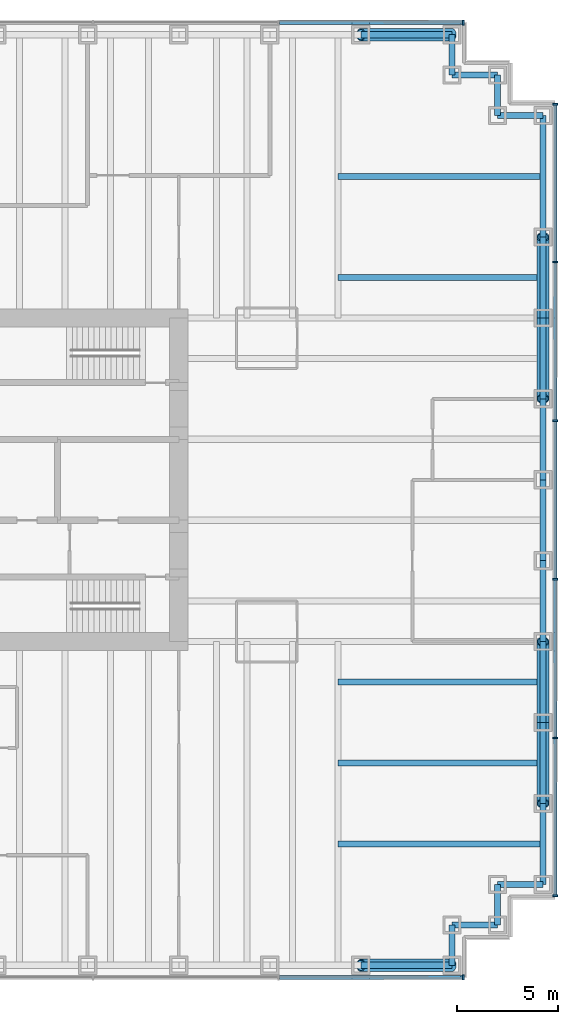
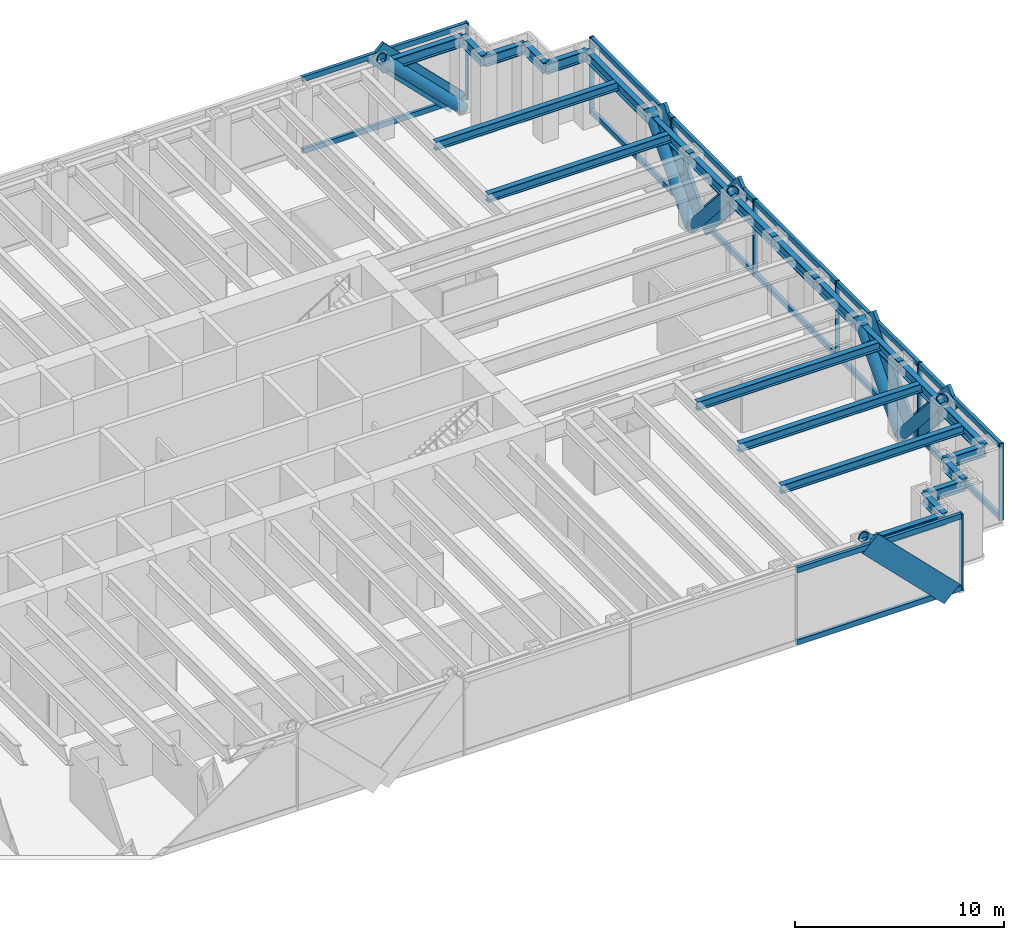
# One storey, part 7 of 13: 34 members, 24 beams, 3 elements without a shape of their own.
"""IFC4 building model written with IfcOpenShell, lengths in metres."""

from ifc_helpers import new_model, si_unit, direction, frame, origin, origin_2d, place, context, subcontext, project, spatial, rectangle, hollow_circle, i_section, extrude, material, material_profile, profile_set, type_object, element, aggregate, save


model = new_model("IFC4")

# Units and contexts
model_context = context("Model", 3, precision=1e-05, world=origin(), true_north=direction((0.0, 1.0)))
body_context = subcontext(model_context, "Body", "Model", "MODEL_VIEW")
ifc_project = project(units=[si_unit("LENGTHUNIT", "METRE"), si_unit("AREAUNIT", "SQUARE_METRE"), si_unit("VOLUMEUNIT", "CUBIC_METRE"), si_unit("PLANEANGLEUNIT", "RADIAN"), si_unit("MASSUNIT", "GRAM", prefix="KILO")], contexts=[model_context])

# Site, building, storey
site_placement = place(None, origin())
site = spatial("IfcSite", under=ifc_project, at=site_placement, CompositionType="ELEMENT")
building_placement = place(site_placement, origin())
building = spatial("IfcBuilding", under=site, at=building_placement, Name="Rheinbord Bourse Tower", CompositionType="ELEMENT")
storey_placement = place(building_placement, frame((0.0, 0.0, 32.0)))
storey = spatial("IfcBuildingStorey", under=building, at=storey_placement, Name="L06", CompositionType="ELEMENT", Elevation=32.0)

# Curtain wall, member
ifc_material_1 = material(Name="Dark glass and black aluminium", Category="aluminium")
curtain_wall_type = type_object("IfcCurtainWallType", Name="CW1 DARK GLASS CURTAIN WALL", PredefinedType="USERDEFINED", material=ifc_material_1)
curtain_wall_1_placement = place(storey_placement, origin())
curtain_wall_1 = element("IfcCurtainWall", 1, at=curtain_wall_1_placement, inside=storey, type_object=curtain_wall_type, Name="Curtain wall CW1 S L06", ObjectType="UNITISED CURTAIN WALL", PredefinedType="USERDEFINED")
ifc_material_2 = material(Name="Black anodised aluminium", Category="aluminium")
ifc_material_profile_1 = material_profile(ifc_material_2, rectangle(XDim=0.179931640625, YDim=1.2099609375, at=origin_2d()), Name="CW1 DIAGONAL MULLION 1210x180")
ifc_profile_set_1 = profile_set([ifc_material_profile_1], Name="Black anodised aluminium")
member_type_1 = type_object("IfcMemberType", Name="CW1 BLACK DIAGONAL MULLION", PredefinedType="USERDEFINED", material=ifc_profile_set_1)
member_1_placement = place(storey_placement, frame((67.5, -0.60009765625, 0.0), z_axis=(-0.707106781187, 0.0, 0.707106781187), x_axis=(0.0, -1.0, 0.0)))
member_1 = element("IfcMember", 2, at=member_1_placement, type_object=member_type_1, Name="CW1 diagonal mullion c", ObjectType="DIAGONAL MULLION", PredefinedType="USERDEFINED", context=body_context, shape_type="SweptSolid", body=[
    extrude(rectangle(XDim=0.179931640625, YDim=1.2099609375, at=origin_2d()), origin(), (0.0, 0.0, 1.0), 6.364013671875),
])

# Curtain wall, members
curtain_wall_2_placement = place(storey_placement, origin())
curtain_wall_2 = element("IfcCurtainWall", 3, at=curtain_wall_2_placement, inside=storey, type_object=curtain_wall_type, Name="Curtain wall CW1 E L06", ObjectType="UNITISED CURTAIN WALL", PredefinedType="USERDEFINED")
member_2_placement = place(storey_placement, frame((72.60009765625, 32.0, 0.0), z_axis=(0.0, 0.66436383883, 0.747409318684), x_axis=(-1.0, 0.0, 0.0)))
member_2 = element("IfcMember", 4, at=member_2_placement, type_object=member_type_1, Name="CW1 diagonal mullion a", ObjectType="DIAGONAL MULLION", PredefinedType="USERDEFINED", context=body_context, shape_type="SweptSolid", body=[
    extrude(rectangle(XDim=0.179931640625, YDim=1.2099609375, at=origin_2d()), origin(), (0.0, 0.0, 1.0), 6.020751953125),
])
member_3_placement = place(storey_placement, frame((72.60009765625, 12.0, 0.0), z_axis=(0.0, -0.66436383883, 0.747409318684), x_axis=(1.0, 0.0, 0.0)))
member_3 = element("IfcMember", 5, at=member_3_placement, type_object=member_type_1, Name="CW1 diagonal mullion b", ObjectType="DIAGONAL MULLION", PredefinedType="USERDEFINED", context=body_context, shape_type="SweptSolid", body=[
    extrude(rectangle(XDim=0.179931640625, YDim=1.2099609375, at=origin_2d()), origin(), (0.0, 0.0, 1.0), 6.020751953125),
])
member_4_placement = place(storey_placement, frame((72.60009765625, 32.0, 0.0), z_axis=(0.0, -0.66436383883, 0.747409318684), x_axis=(1.0, 0.0, 0.0)))
member_4 = element("IfcMember", 6, at=member_4_placement, type_object=member_type_1, Name="CW1 diagonal mullion c", ObjectType="DIAGONAL MULLION", PredefinedType="USERDEFINED", context=body_context, shape_type="SweptSolid", body=[
    extrude(rectangle(XDim=0.179931640625, YDim=1.2099609375, at=origin_2d()), origin(), (0.0, 0.0, 1.0), 6.020751953125),
])
member_5_placement = place(storey_placement, frame((72.60009765625, 12.0, 0.0), z_axis=(0.0, 0.66436383883, 0.747409318684), x_axis=(-1.0, 0.0, 0.0)))
member_5 = element("IfcMember", 7, at=member_5_placement, type_object=member_type_1, Name="CW1 diagonal mullion d", ObjectType="DIAGONAL MULLION", PredefinedType="USERDEFINED", context=body_context, shape_type="SweptSolid", body=[
    extrude(rectangle(XDim=0.179931640625, YDim=1.2099609375, at=origin_2d()), origin(), (0.0, 0.0, 1.0), 6.020751953125),
])

# Curtain wall, member
curtain_wall_3_placement = place(storey_placement, origin())
curtain_wall_3 = element("IfcCurtainWall", 8, at=curtain_wall_3_placement, inside=storey, type_object=curtain_wall_type, Name="Curtain wall CW1 N L06", ObjectType="UNITISED CURTAIN WALL", PredefinedType="USERDEFINED")
member_6_placement = place(storey_placement, frame((67.5, 46.60009765625, 0.0), z_axis=(-0.707106781187, 0.0, 0.707106781187), x_axis=(0.0, -1.0, 0.0)))
member_6 = element("IfcMember", 9, at=member_6_placement, type_object=member_type_1, Name="CW1 diagonal mullion c", ObjectType="DIAGONAL MULLION", PredefinedType="USERDEFINED", context=body_context, shape_type="SweptSolid", body=[
    extrude(rectangle(XDim=0.179931640625, YDim=1.2099609375, at=origin_2d()), origin(), (0.0, 0.0, 1.0), 6.364013671875),
])

# Member
ifc_material_3 = material(Name="Black anodised aluminium", Category="aluminium")
ifc_material_profile_2 = material_profile(ifc_material_3, rectangle(XDim=0.25, YDim=0.080078125, at=origin_2d()), Name="CW1 MULLION 80x250")
ifc_profile_set_2 = profile_set([ifc_material_profile_2], Name="Black anodised aluminium")
member_type_2 = type_object("IfcMemberType", Name="CW1 BLACK MULLION", PredefinedType="MULLION", material=ifc_profile_set_2)
member_7_placement = place(storey_placement, frame((68.06005859375, -0.60009765625, 0.0), z_axis=(0.0, 0.0, 1.0), x_axis=(0.0, 1.0, 0.0)))
member_7 = element("IfcMember", 10, at=member_7_placement, type_object=member_type_2, Name="CW1 mullion 8", PredefinedType="MULLION", context=body_context, shape_type="SweptSolid", body=[
    extrude(rectangle(XDim=0.25, YDim=0.080078125, at=origin_2d()), origin(), (0.0, 0.0, 1.0), 4.5),
])

member_8_placement = place(storey_placement, frame((72.60009765625, 3.43994140625, 0.0), z_axis=(0.0, 0.0, 1.0), x_axis=(-1.0, 0.0, 0.0)))
member_8 = element("IfcMember", 11, at=member_8_placement, type_object=member_type_2, Name="CW1 mullion 1", PredefinedType="MULLION", context=body_context, shape_type="SweptSolid", body=[
    extrude(rectangle(XDim=0.25, YDim=0.080078125, at=origin_2d()), origin(), (0.0, 0.0, 1.0), 4.5),
])

member_9_placement = place(storey_placement, frame((72.60009765625, 11.239990234375, 0.0), z_axis=(0.0, 0.0, 1.0), x_axis=(-1.0, 0.0, 0.0)))
member_9 = element("IfcMember", 12, at=member_9_placement, type_object=member_type_2, Name="CW1 mullion 2", PredefinedType="MULLION", context=body_context, shape_type="SweptSolid", body=[
    extrude(rectangle(XDim=0.25, YDim=0.080078125, at=origin_2d()), origin(), (0.0, 0.0, 1.0), 4.5),
])

member_10_placement = place(storey_placement, frame((72.60009765625, 19.080078125, 0.0), z_axis=(0.0, 0.0, 1.0), x_axis=(-1.0, 0.0, 0.0)))
member_10 = element("IfcMember", 13, at=member_10_placement, type_object=member_type_2, Name="CW1 mullion 3", PredefinedType="MULLION", context=body_context, shape_type="SweptSolid", body=[
    extrude(rectangle(XDim=0.25, YDim=0.080078125, at=origin_2d()), origin(), (0.0, 0.0, 1.0), 4.5),
])

member_11_placement = place(storey_placement, frame((72.60009765625, 26.919921875, 0.0), z_axis=(0.0, 0.0, 1.0), x_axis=(-1.0, 0.0, 0.0)))
member_11 = element("IfcMember", 14, at=member_11_placement, type_object=member_type_2, Name="CW1 mullion 4", PredefinedType="MULLION", context=body_context, shape_type="SweptSolid", body=[
    extrude(rectangle(XDim=0.25, YDim=0.080078125, at=origin_2d()), origin(), (0.0, 0.0, 1.0), 4.5),
])

member_12_placement = place(storey_placement, frame((72.60009765625, 34.760009765625, 0.0), z_axis=(0.0, 0.0, 1.0), x_axis=(-1.0, 0.0, 0.0)))
member_12 = element("IfcMember", 15, at=member_12_placement, type_object=member_type_2, Name="CW1 mullion 5", PredefinedType="MULLION", context=body_context, shape_type="SweptSolid", body=[
    extrude(rectangle(XDim=0.25, YDim=0.080078125, at=origin_2d()), origin(), (0.0, 0.0, 1.0), 4.5),
])

member_13_placement = place(storey_placement, frame((72.60009765625, 42.56005859375, 0.0), z_axis=(0.0, 0.0, 1.0), x_axis=(-1.0, 0.0, 0.0)))
member_13 = element("IfcMember", 16, at=member_13_placement, type_object=member_type_2, Name="CW1 mullion 6", PredefinedType="MULLION", context=body_context, shape_type="SweptSolid", body=[
    extrude(rectangle(XDim=0.25, YDim=0.080078125, at=origin_2d()), origin(), (0.0, 0.0, 1.0), 4.5),
])

member_14_placement = place(storey_placement, frame((68.06005859375, 46.60009765625, 0.0), z_axis=(0.0, 0.0, 1.0), x_axis=(0.0, -1.0, 0.0)))
member_14 = element("IfcMember", 17, at=member_14_placement, type_object=member_type_2, Name="CW1 mullion 1", PredefinedType="MULLION", context=body_context, shape_type="SweptSolid", body=[
    extrude(rectangle(XDim=0.25, YDim=0.080078125, at=origin_2d()), origin(), (0.0, 0.0, 1.0), 4.5),
])

ifc_material_4 = material(Name="Black anodised aluminium", Category="aluminium")
ifc_material_profile_3 = material_profile(ifc_material_4, rectangle(XDim=0.179931640625, YDim=0.300048828125, at=origin_2d()), Name="CW1 TRANSOM 300x180")
ifc_profile_set_3 = profile_set([ifc_material_profile_3], Name="Black anodised aluminium")
member_type_3 = type_object("IfcMemberType", Name="CW1 BLACK TRANSOM", PredefinedType="USERDEFINED", material=ifc_profile_set_3)
member_15_placement = place(storey_placement, frame((58.968505859375, -0.60009765625, 0.14990234375), z_axis=(1.0, 0.0, 0.0), x_axis=(0.0, 1.0, 0.0)))
member_15 = element("IfcMember", 18, at=member_15_placement, type_object=member_type_3, Name="CW1 transom 7.1", ObjectType="TRANSOM", PredefinedType="USERDEFINED", context=body_context, shape_type="SweptSolid", body=[
    extrude(rectangle(XDim=0.179931640625, YDim=0.300048828125, at=origin_2d()), origin(), (0.0, 0.0, 1.0), 9.051513671875),
])

member_16_placement = place(storey_placement, frame((58.968505859375, -0.60009765625, 4.35009765625), z_axis=(1.0, 0.0, 0.0), x_axis=(0.0, 1.0, 0.0)))
member_16 = element("IfcMember", 19, at=member_16_placement, type_object=member_type_3, Name="CW1 transom 7.2", ObjectType="TRANSOM", PredefinedType="USERDEFINED", context=body_context, shape_type="SweptSolid", body=[
    extrude(rectangle(XDim=0.179931640625, YDim=0.300048828125, at=origin_2d()), origin(), (0.0, 0.0, 1.0), 9.051513671875),
])

aggregate(curtain_wall_1, [member_7, member_15, member_16, member_1])

member_17_placement = place(storey_placement, frame((72.60009765625, 3.47998046875, 0.14990234375), z_axis=(0.0, 1.0, 0.0), x_axis=(-1.0, 0.0, 0.0)))
member_17 = element("IfcMember", 20, at=member_17_placement, type_object=member_type_3, Name="CW1 transom 1.1", ObjectType="TRANSOM", PredefinedType="USERDEFINED", context=body_context, shape_type="SweptSolid", body=[
    extrude(rectangle(XDim=0.179931640625, YDim=0.300048828125, at=origin_2d()), origin(), (0.0, 0.0, 1.0), 7.719970703125),
])

member_18_placement = place(storey_placement, frame((72.60009765625, 3.47998046875, 4.35009765625), z_axis=(0.0, 1.0, 0.0), x_axis=(-1.0, 0.0, 0.0)))
member_18 = element("IfcMember", 21, at=member_18_placement, type_object=member_type_3, Name="CW1 transom 1.2", ObjectType="TRANSOM", PredefinedType="USERDEFINED", context=body_context, shape_type="SweptSolid", body=[
    extrude(rectangle(XDim=0.179931640625, YDim=0.300048828125, at=origin_2d()), origin(), (0.0, 0.0, 1.0), 7.719970703125),
])

member_19_placement = place(storey_placement, frame((72.60009765625, 11.280029296875, 0.14990234375), z_axis=(0.0, 1.0, 0.0), x_axis=(-1.0, 0.0, 0.0)))
member_19 = element("IfcMember", 22, at=member_19_placement, type_object=member_type_3, Name="CW1 transom 2.1", ObjectType="TRANSOM", PredefinedType="USERDEFINED", context=body_context, shape_type="SweptSolid", body=[
    extrude(rectangle(XDim=0.179931640625, YDim=0.300048828125, at=origin_2d()), origin(), (0.0, 0.0, 1.0), 7.760009765625),
])

member_20_placement = place(storey_placement, frame((72.60009765625, 11.280029296875, 4.35009765625), z_axis=(0.0, 1.0, 0.0), x_axis=(-1.0, 0.0, 0.0)))
member_20 = element("IfcMember", 23, at=member_20_placement, type_object=member_type_3, Name="CW1 transom 2.2", ObjectType="TRANSOM", PredefinedType="USERDEFINED", context=body_context, shape_type="SweptSolid", body=[
    extrude(rectangle(XDim=0.179931640625, YDim=0.300048828125, at=origin_2d()), origin(), (0.0, 0.0, 1.0), 7.760009765625),
])

member_21_placement = place(storey_placement, frame((72.60009765625, 19.1201171875, 0.14990234375), z_axis=(0.0, 1.0, 0.0), x_axis=(-1.0, 0.0, 0.0)))
member_21 = element("IfcMember", 24, at=member_21_placement, type_object=member_type_3, Name="CW1 transom 3.1", ObjectType="TRANSOM", PredefinedType="USERDEFINED", context=body_context, shape_type="SweptSolid", body=[
    extrude(rectangle(XDim=0.179931640625, YDim=0.300048828125, at=origin_2d()), origin(), (0.0, 0.0, 1.0), 7.759765625),
])

member_22_placement = place(storey_placement, frame((72.60009765625, 19.1201171875, 4.35009765625), z_axis=(0.0, 1.0, 0.0), x_axis=(-1.0, 0.0, 0.0)))
member_22 = element("IfcMember", 25, at=member_22_placement, type_object=member_type_3, Name="CW1 transom 3.2", ObjectType="TRANSOM", PredefinedType="USERDEFINED", context=body_context, shape_type="SweptSolid", body=[
    extrude(rectangle(XDim=0.179931640625, YDim=0.300048828125, at=origin_2d()), origin(), (0.0, 0.0, 1.0), 7.759765625),
])

member_23_placement = place(storey_placement, frame((72.60009765625, 26.9599609375, 0.14990234375), z_axis=(0.0, 1.0, 0.0), x_axis=(-1.0, 0.0, 0.0)))
member_23 = element("IfcMember", 26, at=member_23_placement, type_object=member_type_3, Name="CW1 transom 4.1", ObjectType="TRANSOM", PredefinedType="USERDEFINED", context=body_context, shape_type="SweptSolid", body=[
    extrude(rectangle(XDim=0.179931640625, YDim=0.300048828125, at=origin_2d()), origin(), (0.0, 0.0, 1.0), 7.760009765625),
])

member_24_placement = place(storey_placement, frame((72.60009765625, 26.9599609375, 4.35009765625), z_axis=(0.0, 1.0, 0.0), x_axis=(-1.0, 0.0, 0.0)))
member_24 = element("IfcMember", 27, at=member_24_placement, type_object=member_type_3, Name="CW1 transom 4.2", ObjectType="TRANSOM", PredefinedType="USERDEFINED", context=body_context, shape_type="SweptSolid", body=[
    extrude(rectangle(XDim=0.179931640625, YDim=0.300048828125, at=origin_2d()), origin(), (0.0, 0.0, 1.0), 7.760009765625),
])

member_25_placement = place(storey_placement, frame((72.60009765625, 34.800048828125, 0.14990234375), z_axis=(0.0, 1.0, 0.0), x_axis=(-1.0, 0.0, 0.0)))
member_25 = element("IfcMember", 28, at=member_25_placement, type_object=member_type_3, Name="CW1 transom 5.1", ObjectType="TRANSOM", PredefinedType="USERDEFINED", context=body_context, shape_type="SweptSolid", body=[
    extrude(rectangle(XDim=0.179931640625, YDim=0.300048828125, at=origin_2d()), origin(), (0.0, 0.0, 1.0), 7.719970703125),
])

member_26_placement = place(storey_placement, frame((72.60009765625, 34.800048828125, 4.35009765625), z_axis=(0.0, 1.0, 0.0), x_axis=(-1.0, 0.0, 0.0)))
member_26 = element("IfcMember", 29, at=member_26_placement, type_object=member_type_3, Name="CW1 transom 5.2", ObjectType="TRANSOM", PredefinedType="USERDEFINED", context=body_context, shape_type="SweptSolid", body=[
    extrude(rectangle(XDim=0.179931640625, YDim=0.300048828125, at=origin_2d()), origin(), (0.0, 0.0, 1.0), 7.719970703125),
])

aggregate(curtain_wall_2, [member_8, member_9, member_10, member_11, member_12, member_13, member_17, member_18, member_19, member_20, member_21, member_22, member_23, member_24, member_25, member_26, member_2, member_3, member_4, member_5])

member_27_placement = place(storey_placement, frame((68.02001953125, 46.60009765625, 0.14990234375), z_axis=(-1.0, 0.0, 0.0), x_axis=(0.0, -1.0, 0.0)))
member_27 = element("IfcMember", 30, at=member_27_placement, type_object=member_type_3, Name="CW1 transom 1.1", ObjectType="TRANSOM", PredefinedType="USERDEFINED", context=body_context, shape_type="SweptSolid", body=[
    extrude(rectangle(XDim=0.179931640625, YDim=0.300048828125, at=origin_2d()), origin(), (0.0, 0.0, 1.0), 9.051513671875),
])

member_28_placement = place(storey_placement, frame((68.02001953125, 46.60009765625, 4.35009765625), z_axis=(-1.0, 0.0, 0.0), x_axis=(0.0, -1.0, 0.0)))
member_28 = element("IfcMember", 31, at=member_28_placement, type_object=member_type_3, Name="CW1 transom 1.2", ObjectType="TRANSOM", PredefinedType="USERDEFINED", context=body_context, shape_type="SweptSolid", body=[
    extrude(rectangle(XDim=0.179931640625, YDim=0.300048828125, at=origin_2d()), origin(), (0.0, 0.0, 1.0), 9.051513671875),
])

aggregate(curtain_wall_3, [member_14, member_27, member_28, member_6])

# Members
ifc_material_5 = material(Name="Steel S460", Category="steel")
ifc_material_profile_4 = material_profile(ifc_material_5, hollow_circle(Radius=0.304931640625, WallThickness=0.050048828125, at=origin_2d()), Name="CHS 610x50")
ifc_profile_set_4 = profile_set([ifc_material_profile_4], Name="Steel S460")
member_type_4 = type_object("IfcMemberType", Name="MEGABRACE CHS 610x50", PredefinedType="BRACE", material=ifc_profile_set_4)
member_29_placement = place(storey_placement, frame((67.5, 0.0, 0.0), z_axis=(-0.707106781187, 0.0, 0.707106781187), x_axis=(0.0, -1.0, 0.0)))
element("IfcMember", 32, at=member_29_placement, inside=storey, type_object=member_type_4, Name="Megabrace S face line c L06", PredefinedType="BRACE", context=body_context, shape_type="SweptSolid", body=[
    extrude(hollow_circle(Radius=0.304931640625, WallThickness=0.050048828125, at=origin_2d()), origin(), (0.0, 0.0, 1.0), 6.364013671875),
])
for number, where, z_axis, x_axis, name in (
    (33, (72.0, 32.0, 0.0), (0.0, 0.66436383883, 0.747409318684), (-1.0, 0.0, 0.0), "Megabrace E face line a L06"),
    (34, (72.0, 12.0, 0.0), (0.0, -0.66436383883, 0.747409318684), (1.0, 0.0, 0.0), "Megabrace E face line b L06"),
    (35, (72.0, 32.0, 0.0), (0.0, -0.66436383883, 0.747409318684), (1.0, 0.0, 0.0), "Megabrace E face line c L06"),
    (36, (72.0, 12.0, 0.0), (0.0, 0.66436383883, 0.747409318684), (-1.0, 0.0, 0.0), "Megabrace E face line d L06"),
):
    element("IfcMember", number, at=place(storey_placement, frame(where, z_axis=z_axis, x_axis=x_axis)), inside=storey, type_object=member_type_4, Name=name, PredefinedType="BRACE", context=body_context, shape_type="SweptSolid", body=[
        extrude(hollow_circle(Radius=0.304931640625, WallThickness=0.050048828125, at=origin_2d()), origin(), (0.0, 0.0, 1.0), 6.020751953125),
    ])
member_30_placement = place(storey_placement, frame((67.5, 46.0, 0.0), z_axis=(-0.707106781187, 0.0, 0.707106781187), x_axis=(0.0, -1.0, 0.0)))
element("IfcMember", 37, at=member_30_placement, inside=storey, type_object=member_type_4, Name="Megabrace N face line c L06", PredefinedType="BRACE", context=body_context, shape_type="SweptSolid", body=[
    extrude(hollow_circle(Radius=0.304931640625, WallThickness=0.050048828125, at=origin_2d()), origin(), (0.0, 0.0, 1.0), 6.364013671875),
])

# Beams
ifc_material_6 = material(Name="Steel S460", Category="steel")
ifc_material_profile_5 = material_profile(ifc_material_6, i_section(OverallWidth=0.304931640625, OverallDepth=0.6201171875, WebThickness=0.02099609375, FlangeThickness=0.0400390625, at=origin_2d()), Name="HEM 600")
ifc_profile_set_5 = profile_set([ifc_material_profile_5], Name="Steel S460")
beam_type_1 = type_object("IfcBeamType", Name="SPANDREL HEM 600", PredefinedType="SPANDREL", material=ifc_profile_set_5)
beam_1_placement = place(storey_placement, frame((63.0, 0.0, 4.010009765625), z_axis=(1.0, 0.0, 0.0), x_axis=(0.0, 1.0, 0.0)))
element("IfcBeam", 38, at=beam_1_placement, inside=storey, type_object=beam_type_1, Name="Spandrel S-63-SE-E under L07", PredefinedType="SPANDREL", context=body_context, shape_type="SweptSolid", body=[
    extrude(i_section(OverallWidth=0.304931640625, OverallDepth=0.6201171875, WebThickness=0.02099609375, FlangeThickness=0.0400390625, at=origin_2d()), origin(), (0.0, 0.0, 1.0), 4.5),
])
beam_2_placement = place(storey_placement, frame((67.5, 0.0, 4.010009765625), z_axis=(0.0, 1.0, 0.0), x_axis=(-1.0, 0.0, 0.0)))
element("IfcBeam", 39, at=beam_2_placement, inside=storey, type_object=beam_type_1, Name="Spandrel SE-E-SE-D under L07", PredefinedType="SPANDREL", context=body_context, shape_type="SweptSolid", body=[
    extrude(i_section(OverallWidth=0.304931640625, OverallDepth=0.6201171875, WebThickness=0.02099609375, FlangeThickness=0.0400390625, at=origin_2d()), origin(), (0.0, 0.0, 1.0), 2.0),
])
beam_3_placement = place(storey_placement, frame((67.5, 2.0, 4.010009765625), z_axis=(1.0, 0.0, 0.0), x_axis=(0.0, 1.0, 0.0)))
element("IfcBeam", 40, at=beam_3_placement, inside=storey, type_object=beam_type_1, Name="Spandrel SE-D-SE-C under L07", PredefinedType="SPANDREL", context=body_context, shape_type="SweptSolid", body=[
    extrude(i_section(OverallWidth=0.304931640625, OverallDepth=0.6201171875, WebThickness=0.02099609375, FlangeThickness=0.0400390625, at=origin_2d()), origin(), (0.0, 0.0, 1.0), 2.25),
])
beam_4_placement = place(storey_placement, frame((69.75, 2.0, 4.010009765625), z_axis=(0.0, 1.0, 0.0), x_axis=(-1.0, 0.0, 0.0)))
element("IfcBeam", 41, at=beam_4_placement, inside=storey, type_object=beam_type_1, Name="Spandrel SE-C-SE-B under L07", PredefinedType="SPANDREL", context=body_context, shape_type="SweptSolid", body=[
    extrude(i_section(OverallWidth=0.304931640625, OverallDepth=0.6201171875, WebThickness=0.02099609375, FlangeThickness=0.0400390625, at=origin_2d()), origin(), (0.0, 0.0, 1.0), 2.0),
])
beam_5_placement = place(storey_placement, frame((69.75, 4.0, 4.010009765625), z_axis=(1.0, 0.0, 0.0), x_axis=(0.0, 1.0, 0.0)))
element("IfcBeam", 42, at=beam_5_placement, inside=storey, type_object=beam_type_1, Name="Spandrel SE-B-SE-A under L07", PredefinedType="SPANDREL", context=body_context, shape_type="SweptSolid", body=[
    extrude(i_section(OverallWidth=0.304931640625, OverallDepth=0.6201171875, WebThickness=0.02099609375, FlangeThickness=0.0400390625, at=origin_2d()), origin(), (0.0, 0.0, 1.0), 2.25),
])
for number, where, z_axis, x_axis, name in (
    (43, (72.0, 4.0, 4.010009765625), (0.0, 1.0, 0.0), (-1.0, 0.0, 0.0), "Spandrel SE-A-E-8 under L07"),
    (44, (72.0, 8.0, 4.010009765625), (0.0, 1.0, 0.0), (-1.0, 0.0, 0.0), "Spandrel E-8-E-12 under L07"),
    (45, (72.0, 12.0, 4.010009765625), (0.0, 1.0, 0.0), (-1.0, 0.0, 0.0), "Spandrel E-12-E-16 under L07"),
    (46, (72.0, 16.0, 4.010009765625), (0.0, 1.0, 0.0), (-1.0, 0.0, 0.0), "Spandrel E-16-E-20 under L07"),
    (47, (72.0, 20.0, 4.010009765625), (0.0, 1.0, 0.0), (-1.0, 0.0, 0.0), "Spandrel E-20-E-24 under L07"),
    (48, (72.0, 24.0, 4.010009765625), (0.0, 1.0, 0.0), (-1.0, 0.0, 0.0), "Spandrel E-24-E-28 under L07"),
    (49, (72.0, 28.0, 4.010009765625), (0.0, 1.0, 0.0), (-1.0, 0.0, 0.0), "Spandrel E-28-E-32 under L07"),
    (50, (72.0, 32.0, 4.010009765625), (0.0, 1.0, 0.0), (-1.0, 0.0, 0.0), "Spandrel E-32-E-36 under L07"),
):
    element("IfcBeam", number, at=place(storey_placement, frame(where, z_axis=z_axis, x_axis=x_axis)), inside=storey, type_object=beam_type_1, Name=name, PredefinedType="SPANDREL", context=body_context, shape_type="SweptSolid", body=[
        extrude(i_section(OverallWidth=0.304931640625, OverallDepth=0.6201171875, WebThickness=0.02099609375, FlangeThickness=0.0400390625, at=origin_2d()), origin(), (0.0, 0.0, 1.0), 4.0),
    ])
beam_6_placement = place(storey_placement, frame((72.0, 36.0, 4.010009765625), z_axis=(0.0, 1.0, 0.0), x_axis=(-1.0, 0.0, 0.0)))
element("IfcBeam", 51, at=beam_6_placement, inside=storey, type_object=beam_type_1, Name="Spandrel E-36-NE-A under L07", PredefinedType="SPANDREL", context=body_context, shape_type="SweptSolid", body=[
    extrude(i_section(OverallWidth=0.304931640625, OverallDepth=0.6201171875, WebThickness=0.02099609375, FlangeThickness=0.0400390625, at=origin_2d()), origin(), (0.0, 0.0, 1.0), 6.0),
])
beam_7_placement = place(storey_placement, frame((72.0, 42.0, 4.010009765625), z_axis=(-1.0, 0.0, 0.0), x_axis=(0.0, -1.0, 0.0)))
element("IfcBeam", 52, at=beam_7_placement, inside=storey, type_object=beam_type_1, Name="Spandrel NE-A-NE-B under L07", PredefinedType="SPANDREL", context=body_context, shape_type="SweptSolid", body=[
    extrude(i_section(OverallWidth=0.304931640625, OverallDepth=0.6201171875, WebThickness=0.02099609375, FlangeThickness=0.0400390625, at=origin_2d()), origin(), (0.0, 0.0, 1.0), 2.25),
])
beam_8_placement = place(storey_placement, frame((69.75, 42.0, 4.010009765625), z_axis=(0.0, 1.0, 0.0), x_axis=(-1.0, 0.0, 0.0)))
element("IfcBeam", 53, at=beam_8_placement, inside=storey, type_object=beam_type_1, Name="Spandrel NE-B-NE-C under L07", PredefinedType="SPANDREL", context=body_context, shape_type="SweptSolid", body=[
    extrude(i_section(OverallWidth=0.304931640625, OverallDepth=0.6201171875, WebThickness=0.02099609375, FlangeThickness=0.0400390625, at=origin_2d()), origin(), (0.0, 0.0, 1.0), 2.0),
])
beam_9_placement = place(storey_placement, frame((69.75, 44.0, 4.010009765625), z_axis=(-1.0, 0.0, 0.0), x_axis=(0.0, -1.0, 0.0)))
element("IfcBeam", 54, at=beam_9_placement, inside=storey, type_object=beam_type_1, Name="Spandrel NE-C-NE-D under L07", PredefinedType="SPANDREL", context=body_context, shape_type="SweptSolid", body=[
    extrude(i_section(OverallWidth=0.304931640625, OverallDepth=0.6201171875, WebThickness=0.02099609375, FlangeThickness=0.0400390625, at=origin_2d()), origin(), (0.0, 0.0, 1.0), 2.25),
])
beam_10_placement = place(storey_placement, frame((67.5, 44.0, 4.010009765625), z_axis=(0.0, 1.0, 0.0), x_axis=(-1.0, 0.0, 0.0)))
element("IfcBeam", 55, at=beam_10_placement, inside=storey, type_object=beam_type_1, Name="Spandrel NE-D-NE-E under L07", PredefinedType="SPANDREL", context=body_context, shape_type="SweptSolid", body=[
    extrude(i_section(OverallWidth=0.304931640625, OverallDepth=0.6201171875, WebThickness=0.02099609375, FlangeThickness=0.0400390625, at=origin_2d()), origin(), (0.0, 0.0, 1.0), 2.0),
])
beam_11_placement = place(storey_placement, frame((67.5, 46.0, 4.010009765625), z_axis=(-1.0, 0.0, 0.0), x_axis=(0.0, -1.0, 0.0)))
element("IfcBeam", 56, at=beam_11_placement, inside=storey, type_object=beam_type_1, Name="Spandrel NE-E-N-63 under L07", PredefinedType="SPANDREL", context=body_context, shape_type="SweptSolid", body=[
    extrude(i_section(OverallWidth=0.304931640625, OverallDepth=0.6201171875, WebThickness=0.02099609375, FlangeThickness=0.0400390625, at=origin_2d()), origin(), (0.0, 0.0, 1.0), 4.5),
])
ifc_material_7 = material(Name="Steel S460", Category="steel")
ifc_material_profile_6 = material_profile(ifc_material_7, i_section(OverallWidth=0.300048828125, OverallDepth=0.5, WebThickness=0.014404296875, FlangeThickness=0.028076171875, at=origin_2d()), Name="HEB 500")
ifc_profile_set_6 = profile_set([ifc_material_profile_6], Name="Steel S460")
beam_type_2 = type_object("IfcBeamType", Name="TIE BEAM HEB 500", PredefinedType="JOIST", material=ifc_profile_set_6)
for number, where, z_axis, x_axis, name in (
    (57, (61.875, 6.0, 4.070068359375), (1.0, 0.0, 0.0), (0.0, 1.0, 0.0), "Tie east 6 L07"),
    (58, (61.875, 10.0, 4.070068359375), (1.0, 0.0, 0.0), (0.0, 1.0, 0.0), "Tie east 10 L07"),
    (59, (61.875, 14.0, 4.070068359375), (1.0, 0.0, 0.0), (0.0, 1.0, 0.0), "Tie east 14 L07"),
    (60, (61.875, 34.0, 4.070068359375), (1.0, 0.0, 0.0), (0.0, 1.0, 0.0), "Tie east 34 L07"),
    (61, (61.875, 39.0, 4.070068359375), (1.0, 0.0, 0.0), (0.0, 1.0, 0.0), "Tie east 39 L07"),
):
    element("IfcBeam", number, at=place(storey_placement, frame(where, z_axis=z_axis, x_axis=x_axis)), inside=storey, type_object=beam_type_2, Name=name, PredefinedType="JOIST", context=body_context, shape_type="SweptSolid", body=[
        extrude(i_section(OverallWidth=0.300048828125, OverallDepth=0.5, WebThickness=0.014404296875, FlangeThickness=0.028076171875, at=origin_2d()), origin(), (0.0, 0.0, 1.0), 10.125),
    ])

save(model, "model.ifc")
